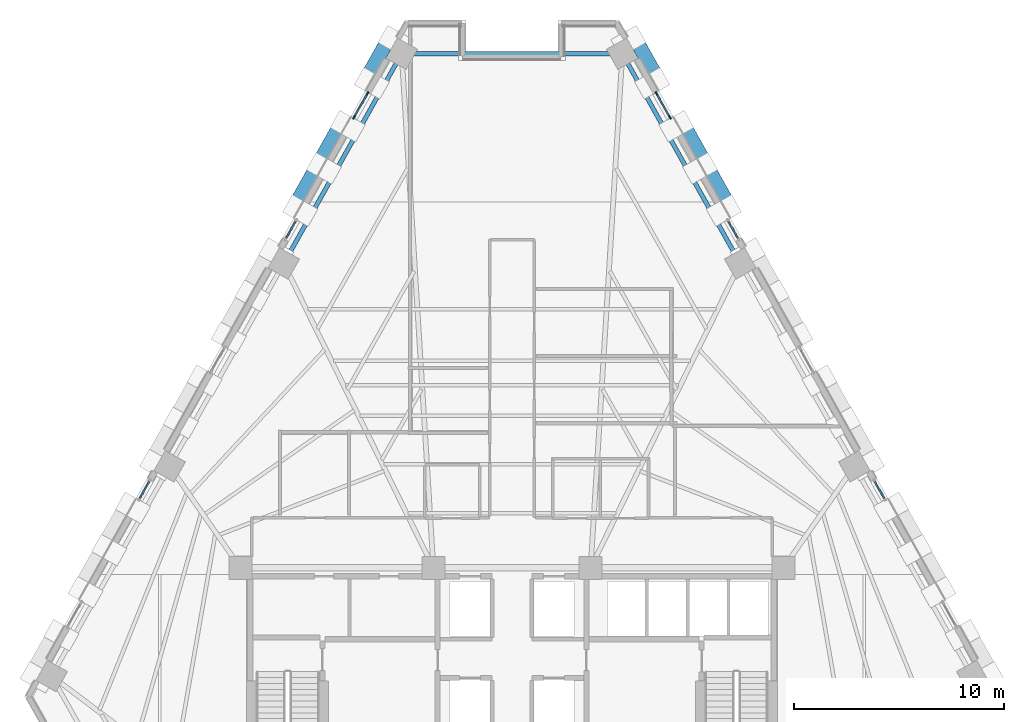
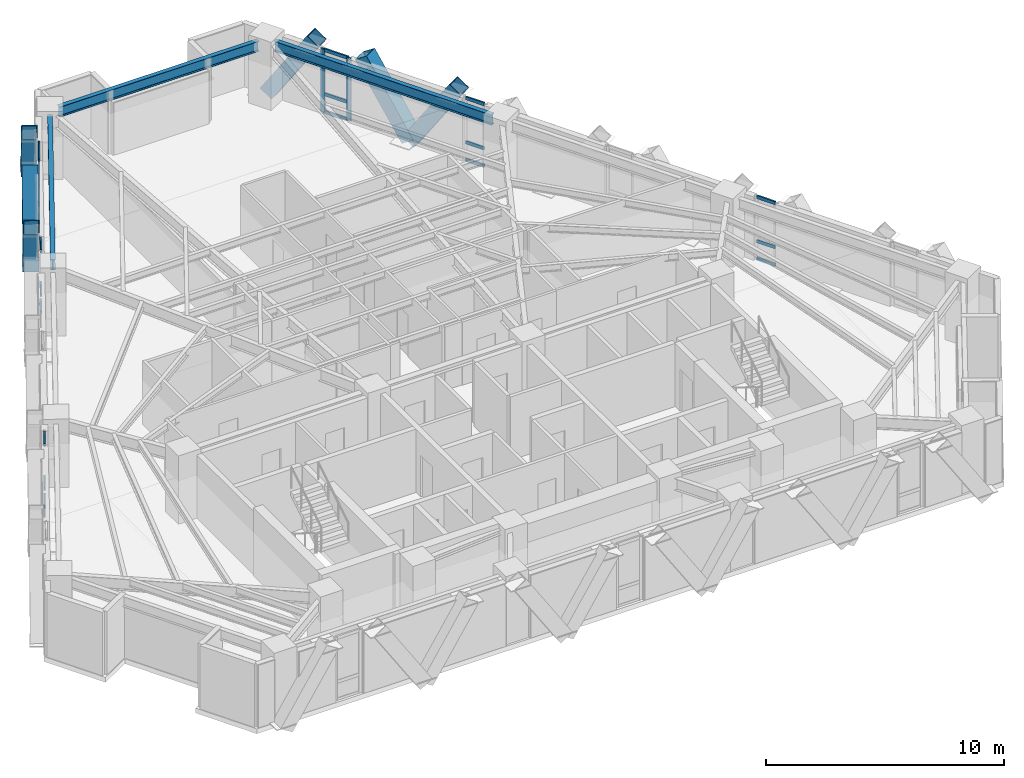
# One storey, part 5 of 13: 28 members, 3 beams, 6 elements without a shape of their own.
"""IFC4 building model written with IfcOpenShell, lengths in metres."""

from ifc_helpers import new_model, si_unit, direction, frame, origin, origin_2d, place, context, subcontext, project, spatial, rectangle, hollow_rectangle, i_section, extrude, material, material_profile, profile_set, type_object, element, aggregate, save


model = new_model("IFC4")

# Units and contexts
model_context = context("Model", 3, precision=1e-05, world=origin(), true_north=direction((0.0, 1.0)))
body_context = subcontext(model_context, "Body", "Model", "MODEL_VIEW")
ifc_project = project(units=[si_unit("LENGTHUNIT", "METRE"), si_unit("AREAUNIT", "SQUARE_METRE"), si_unit("VOLUMEUNIT", "CUBIC_METRE"), si_unit("PLANEANGLEUNIT", "RADIAN"), si_unit("MASSUNIT", "GRAM", prefix="KILO")], contexts=[model_context])

# Site, building, storey
site_placement = place(None, origin())
site = spatial("IfcSite", under=ifc_project, at=site_placement, CompositionType="ELEMENT")
building_placement = place(site_placement, origin())
building = spatial("IfcBuilding", under=site, at=building_placement, Name="Quenlor Broadcast Tower", CompositionType="ELEMENT")
storey_placement = place(building_placement, frame((0.0, 0.0, 109.0)))
storey = spatial("IfcBuildingStorey", under=building, at=storey_placement, Name="L29", CompositionType="ELEMENT", Elevation=109.0)

# Curtain wall, members
ifc_material_1 = material(Name="Architectural Terracotta and Low-E Glazing", Category="masonry")
curtain_wall_type = type_object("IfcCurtainWallType", Name="Unitised Terracotta Curtain Wall System Z2", PredefinedType="NOTDEFINED", material=ifc_material_1)
curtain_wall_1_placement = place(storey_placement, origin())
curtain_wall_1 = element("IfcCurtainWall", 1, at=curtain_wall_1_placement, inside=storey, type_object=curtain_wall_type, Name="L29 Curtain Wall CW2 (L29-NEA-G1)", PredefinedType="NOTDEFINED")
ifc_material_2 = material(Name="Aluminium 6063-T6", Category="aluminium")
ifc_material_profile_1 = material_profile(ifc_material_2, rectangle(XDim=0.074951171875, YDim=0.199951171875, at=origin_2d()))
ifc_profile_set_1 = profile_set([ifc_material_profile_1], Name="Aluminium 6063-T6 MULL75x200")
member_type_1 = type_object("IfcMemberType", Name="CW2 Aluminium Mullion MULL_CW2", PredefinedType="MULLION", material=ifc_profile_set_1)
member_1_placement = place(storey_placement, frame((6.893310546875, 17.81884765625, 0.0), z_axis=(0.0, 0.0, 1.0), x_axis=(0.871583366376, 0.490247320704, 0.0)))
member_1 = element("IfcMember", 2, at=member_1_placement, type_object=member_type_1, Name="CW2 mullion 1", PredefinedType="MULLION", context=body_context, shape_type="SweptSolid", body=[
    extrude(rectangle(XDim=0.074951171875, YDim=0.199951171875, at=origin_2d()), origin(), (0.0, 0.0, 1.0), 3.25),
])
member_2_placement = place(storey_placement, frame((7.525390625, 16.695068359375, 0.0), z_axis=(0.0, 0.0, 1.0), x_axis=(0.871583366376, 0.490247320704, 0.0)))
member_2 = element("IfcMember", 3, at=member_2_placement, type_object=member_type_1, Name="CW2 mullion 2", PredefinedType="MULLION", context=body_context, shape_type="SweptSolid", body=[
    extrude(rectangle(XDim=0.074951171875, YDim=0.199951171875, at=origin_2d()), origin(), (0.0, 0.0, 1.0), 3.25),
])

curtain_wall_2_placement = place(storey_placement, origin())
curtain_wall_2 = element("IfcCurtainWall", 4, at=curtain_wall_2_placement, inside=storey, type_object=curtain_wall_type, Name="L29 Curtain Wall CW2 (L29-NWC-G2)", PredefinedType="NOTDEFINED")
member_3_placement = place(storey_placement, frame((-7.525390625, 16.695068359375, 0.0), z_axis=(0.0, 0.0, 1.0), x_axis=(-0.871583366376, 0.490247320704, 0.0)))
member_3 = element("IfcMember", 5, at=member_3_placement, type_object=member_type_1, Name="CW2 mullion 1", PredefinedType="MULLION", context=body_context, shape_type="SweptSolid", body=[
    extrude(rectangle(XDim=0.074951171875, YDim=0.199951171875, at=origin_2d()), origin(), (0.0, 0.0, 1.0), 3.25),
])
member_4_placement = place(storey_placement, frame((-6.893310546875, 17.81884765625, 0.0), z_axis=(0.0, 0.0, 1.0), x_axis=(-0.871583366376, 0.490247320704, 0.0)))
member_4 = element("IfcMember", 6, at=member_4_placement, type_object=member_type_1, Name="CW2 mullion 2", PredefinedType="MULLION", context=body_context, shape_type="SweptSolid", body=[
    extrude(rectangle(XDim=0.074951171875, YDim=0.199951171875, at=origin_2d()), origin(), (0.0, 0.0, 1.0), 3.25),
])

# Member
ifc_material_3 = material(Name="Aluminium 6063-T6", Category="aluminium")
ifc_material_profile_2 = material_profile(ifc_material_3, rectangle(XDim=0.074951171875, YDim=0.1650390625, at=origin_2d()))
ifc_profile_set_2 = profile_set([ifc_material_profile_2], Name="Aluminium 6063-T6 TRAN75x165")
member_type_2 = type_object("IfcMemberType", Name="CW2 Aluminium Transom TRAN_CW2", PredefinedType="USERDEFINED", material=ifc_profile_set_2)
member_5_placement = place(storey_placement, frame((6.91162109375, 17.7861328125, 0.03759765625), z_axis=(0.490347143438, -0.871527210661, 0.0), x_axis=(0.871527210661, 0.490347143438, 0.0)))
member_5 = element("IfcMember", 7, at=member_5_placement, type_object=member_type_2, Name="CW2 transom 1.1", ObjectType="TRANSOM", PredefinedType="USERDEFINED", context=body_context, shape_type="SweptSolid", body=[
    extrude(rectangle(XDim=0.074951171875, YDim=0.1650390625, at=origin_2d()), origin(), (0.0, 0.0, 1.0), 1.21435546875),
])

member_6_placement = place(storey_placement, frame((6.91162109375, 17.7861328125, 0.949951171875), z_axis=(0.490347143438, -0.871527210661, 0.0), x_axis=(0.871527210661, 0.490347143438, 0.0)))
member_6 = element("IfcMember", 8, at=member_6_placement, type_object=member_type_2, Name="CW2 transom 1.2", ObjectType="TRANSOM", PredefinedType="USERDEFINED", context=body_context, shape_type="SweptSolid", body=[
    extrude(rectangle(XDim=0.074951171875, YDim=0.1650390625, at=origin_2d()), origin(), (0.0, 0.0, 1.0), 1.21435546875),
])

member_7_placement = place(storey_placement, frame((6.91162109375, 17.7861328125, 3.21240234375), z_axis=(0.490347143438, -0.871527210661, 0.0), x_axis=(0.871527210661, 0.490347143438, 0.0)))
member_7 = element("IfcMember", 9, at=member_7_placement, type_object=member_type_2, Name="CW2 transom 1.3", ObjectType="TRANSOM", PredefinedType="USERDEFINED", context=body_context, shape_type="SweptSolid", body=[
    extrude(rectangle(XDim=0.074951171875, YDim=0.1650390625, at=origin_2d()), origin(), (0.0, 0.0, 1.0), 1.21435546875),
])

aggregate(curtain_wall_1, [member_1, member_2, member_5, member_6, member_7])

# Curtain wall, members
curtain_wall_3_placement = place(storey_placement, origin())
curtain_wall_3 = element("IfcCurtainWall", 10, at=curtain_wall_3_placement, inside=storey, type_object=curtain_wall_type, Name="L29 Curtain Wall CW2 (L29-NEA-G2)", PredefinedType="NOTDEFINED")
member_8_placement = place(storey_placement, frame((10.32470703125, 11.718505859375, 0.03759765625), z_axis=(0.490363403455, -0.871518062092, 0.0), x_axis=(0.871518062092, 0.490363403455, 0.0)))
member_8 = element("IfcMember", 11, at=member_8_placement, type_object=member_type_2, Name="CW2 transom 1.1", ObjectType="TRANSOM", PredefinedType="USERDEFINED", context=body_context, shape_type="SweptSolid", body=[
    extrude(rectangle(XDim=0.074951171875, YDim=0.1650390625, at=origin_2d()), origin(), (0.0, 0.0, 1.0), 0.90771484375),
])
member_9_placement = place(storey_placement, frame((10.32470703125, 11.718505859375, 0.949951171875), z_axis=(0.490363403455, -0.871518062092, 0.0), x_axis=(0.871518062092, 0.490363403455, 0.0)))
member_9 = element("IfcMember", 12, at=member_9_placement, type_object=member_type_2, Name="CW2 transom 1.2", ObjectType="TRANSOM", PredefinedType="USERDEFINED", context=body_context, shape_type="SweptSolid", body=[
    extrude(rectangle(XDim=0.074951171875, YDim=0.1650390625, at=origin_2d()), origin(), (0.0, 0.0, 1.0), 0.90771484375),
])
member_10_placement = place(storey_placement, frame((10.32470703125, 11.718505859375, 3.21240234375), z_axis=(0.490363403455, -0.871518062092, 0.0), x_axis=(0.871518062092, 0.490363403455, 0.0)))
member_10 = element("IfcMember", 13, at=member_10_placement, type_object=member_type_2, Name="CW2 transom 1.3", ObjectType="TRANSOM", PredefinedType="USERDEFINED", context=body_context, shape_type="SweptSolid", body=[
    extrude(rectangle(XDim=0.074951171875, YDim=0.1650390625, at=origin_2d()), origin(), (0.0, 0.0, 1.0), 0.90771484375),
])
aggregate(curtain_wall_3, [member_8, member_9, member_10])

curtain_wall_4_placement = place(storey_placement, origin())
curtain_wall_4 = element("IfcCurtainWall", 14, at=curtain_wall_4_placement, inside=storey, type_object=curtain_wall_type, Name="L29 Curtain Wall CW2 (L29-NEC-G1)", PredefinedType="NOTDEFINED")
member_11_placement = place(storey_placement, frame((17.30126953125, -0.684326171875, 0.03759765625), z_axis=(0.490363403455, -0.871518062092, 0.0), x_axis=(0.871518062092, 0.490363403455, 0.0)))
member_11 = element("IfcMember", 15, at=member_11_placement, type_object=member_type_2, Name="CW2 transom 1.1", ObjectType="TRANSOM", PredefinedType="USERDEFINED", context=body_context, shape_type="SweptSolid", body=[
    extrude(rectangle(XDim=0.074951171875, YDim=0.1650390625, at=origin_2d()), origin(), (0.0, 0.0, 1.0), 0.90771484375),
])
member_12_placement = place(storey_placement, frame((17.30126953125, -0.684326171875, 0.949951171875), z_axis=(0.490363403455, -0.871518062092, 0.0), x_axis=(0.871518062092, 0.490363403455, 0.0)))
member_12 = element("IfcMember", 16, at=member_12_placement, type_object=member_type_2, Name="CW2 transom 1.2", ObjectType="TRANSOM", PredefinedType="USERDEFINED", context=body_context, shape_type="SweptSolid", body=[
    extrude(rectangle(XDim=0.074951171875, YDim=0.1650390625, at=origin_2d()), origin(), (0.0, 0.0, 1.0), 0.90771484375),
])
member_13_placement = place(storey_placement, frame((17.30126953125, -0.684326171875, 3.21240234375), z_axis=(0.490363403455, -0.871518062092, 0.0), x_axis=(0.871518062092, 0.490363403455, 0.0)))
member_13 = element("IfcMember", 17, at=member_13_placement, type_object=member_type_2, Name="CW2 transom 1.3", ObjectType="TRANSOM", PredefinedType="USERDEFINED", context=body_context, shape_type="SweptSolid", body=[
    extrude(rectangle(XDim=0.074951171875, YDim=0.1650390625, at=origin_2d()), origin(), (0.0, 0.0, 1.0), 0.90771484375),
])
aggregate(curtain_wall_4, [member_11, member_12, member_13])

curtain_wall_5_placement = place(storey_placement, origin())
curtain_wall_5 = element("IfcCurtainWall", 18, at=curtain_wall_5_placement, inside=storey, type_object=curtain_wall_type, Name="L29 Curtain Wall CW2 (L29-NWA-G2)", PredefinedType="NOTDEFINED")
member_14_placement = place(storey_placement, frame((-17.746337890625, -1.475341796875, 0.03759765625), z_axis=(0.490363403455, 0.871518062092, 0.0), x_axis=(-0.871518062092, 0.490363403455, 0.0)))
member_14 = element("IfcMember", 19, at=member_14_placement, type_object=member_type_2, Name="CW2 transom 1.1", ObjectType="TRANSOM", PredefinedType="USERDEFINED", context=body_context, shape_type="SweptSolid", body=[
    extrude(rectangle(XDim=0.074951171875, YDim=0.1650390625, at=origin_2d()), origin(), (0.0, 0.0, 1.0), 0.90771484375),
])
member_15_placement = place(storey_placement, frame((-17.746337890625, -1.475341796875, 0.949951171875), z_axis=(0.490363403455, 0.871518062092, 0.0), x_axis=(-0.871518062092, 0.490363403455, 0.0)))
member_15 = element("IfcMember", 20, at=member_15_placement, type_object=member_type_2, Name="CW2 transom 1.2", ObjectType="TRANSOM", PredefinedType="USERDEFINED", context=body_context, shape_type="SweptSolid", body=[
    extrude(rectangle(XDim=0.074951171875, YDim=0.1650390625, at=origin_2d()), origin(), (0.0, 0.0, 1.0), 0.90771484375),
])
member_16_placement = place(storey_placement, frame((-17.746337890625, -1.475341796875, 3.21240234375), z_axis=(0.490363403455, 0.871518062092, 0.0), x_axis=(-0.871518062092, 0.490363403455, 0.0)))
member_16 = element("IfcMember", 21, at=member_16_placement, type_object=member_type_2, Name="CW2 transom 1.3", ObjectType="TRANSOM", PredefinedType="USERDEFINED", context=body_context, shape_type="SweptSolid", body=[
    extrude(rectangle(XDim=0.074951171875, YDim=0.1650390625, at=origin_2d()), origin(), (0.0, 0.0, 1.0), 0.90771484375),
])
aggregate(curtain_wall_5, [member_14, member_15, member_16])

curtain_wall_6_placement = place(storey_placement, origin())
curtain_wall_6 = element("IfcCurtainWall", 22, at=curtain_wall_6_placement, inside=storey, type_object=curtain_wall_type, Name="L29 Curtain Wall CW2 (L29-NWC-G1)", PredefinedType="NOTDEFINED")
member_17_placement = place(storey_placement, frame((-10.769775390625, 10.927490234375, 0.03759765625), z_axis=(0.490363403455, 0.871518062092, 0.0), x_axis=(-0.871518062092, 0.490363403455, 0.0)))
member_17 = element("IfcMember", 23, at=member_17_placement, type_object=member_type_2, Name="CW2 transom 1.1", ObjectType="TRANSOM", PredefinedType="USERDEFINED", context=body_context, shape_type="SweptSolid", body=[
    extrude(rectangle(XDim=0.074951171875, YDim=0.1650390625, at=origin_2d()), origin(), (0.0, 0.0, 1.0), 0.90771484375),
])
member_18_placement = place(storey_placement, frame((-10.769775390625, 10.927490234375, 0.949951171875), z_axis=(0.490363403455, 0.871518062092, 0.0), x_axis=(-0.871518062092, 0.490363403455, 0.0)))
member_18 = element("IfcMember", 24, at=member_18_placement, type_object=member_type_2, Name="CW2 transom 1.2", ObjectType="TRANSOM", PredefinedType="USERDEFINED", context=body_context, shape_type="SweptSolid", body=[
    extrude(rectangle(XDim=0.074951171875, YDim=0.1650390625, at=origin_2d()), origin(), (0.0, 0.0, 1.0), 0.90771484375),
])
member_19_placement = place(storey_placement, frame((-10.769775390625, 10.927490234375, 3.21240234375), z_axis=(0.490363403455, 0.871518062092, 0.0), x_axis=(-0.871518062092, 0.490363403455, 0.0)))
member_19 = element("IfcMember", 25, at=member_19_placement, type_object=member_type_2, Name="CW2 transom 1.3", ObjectType="TRANSOM", PredefinedType="USERDEFINED", context=body_context, shape_type="SweptSolid", body=[
    extrude(rectangle(XDim=0.074951171875, YDim=0.1650390625, at=origin_2d()), origin(), (0.0, 0.0, 1.0), 0.90771484375),
])
aggregate(curtain_wall_6, [member_17, member_18, member_19])

# Member
member_20_placement = place(storey_placement, frame((-7.507080078125, 16.727783203125, 0.03759765625), z_axis=(0.490347143438, 0.871527210661, 0.0), x_axis=(-0.871527210661, 0.490347143438, 0.0)))
member_20 = element("IfcMember", 26, at=member_20_placement, type_object=member_type_2, Name="CW2 transom 1.1", ObjectType="TRANSOM", PredefinedType="USERDEFINED", context=body_context, shape_type="SweptSolid", body=[
    extrude(rectangle(XDim=0.074951171875, YDim=0.1650390625, at=origin_2d()), origin(), (0.0, 0.0, 1.0), 1.21435546875),
])

member_21_placement = place(storey_placement, frame((-7.507080078125, 16.727783203125, 0.949951171875), z_axis=(0.490347143438, 0.871527210661, 0.0), x_axis=(-0.871527210661, 0.490347143438, 0.0)))
member_21 = element("IfcMember", 27, at=member_21_placement, type_object=member_type_2, Name="CW2 transom 1.2", ObjectType="TRANSOM", PredefinedType="USERDEFINED", context=body_context, shape_type="SweptSolid", body=[
    extrude(rectangle(XDim=0.074951171875, YDim=0.1650390625, at=origin_2d()), origin(), (0.0, 0.0, 1.0), 1.21435546875),
])

member_22_placement = place(storey_placement, frame((-7.507080078125, 16.727783203125, 3.21240234375), z_axis=(0.490347143438, 0.871527210661, 0.0), x_axis=(-0.871527210661, 0.490347143438, 0.0)))
member_22 = element("IfcMember", 28, at=member_22_placement, type_object=member_type_2, Name="CW2 transom 1.3", ObjectType="TRANSOM", PredefinedType="USERDEFINED", context=body_context, shape_type="SweptSolid", body=[
    extrude(rectangle(XDim=0.074951171875, YDim=0.1650390625, at=origin_2d()), origin(), (0.0, 0.0, 1.0), 1.21435546875),
])

aggregate(curtain_wall_2, [member_3, member_4, member_20, member_21, member_22])

# Members
ifc_material_4 = material(Name="Steel S355", Category="steel")
ifc_material_profile_3 = material_profile(ifc_material_4, hollow_rectangle(XDim=0.679931640625, YDim=0.679931640625, WallThickness=0.030029296875, at=origin_2d()))
ifc_profile_set_3 = profile_set([ifc_material_profile_3], Name="Steel S355 RHS680x680x30")
member_type_3 = type_object("IfcMemberType", Name="Perimeter Diagonal Lattice Brace Z2 Steel S355 RHS680x30", PredefinedType="BRACE", material=ifc_profile_set_3)
for number, where, z_axis, x_axis, name in (
    (29, (5.85400390625, 20.472412109375, -0.1201171875), (0.26858823371, -0.477600411236, 0.836515515636), (0.871623880158, 0.490175286544, 0.0), "L29 Perimeter Diamond Lattice NE-C1S"),
    (30, (9.25341796875, 14.428955078125, -0.1201171875), (-0.268642373731, 0.477592925498, 0.83650240439), (-0.871578380919, -0.490256183964, 0.0), "L29 Perimeter Diamond Lattice NE-C1B"),
    (31, (9.26708984375, 14.40478515625, -0.1201171875), (0.268642373731, -0.477592925498, 0.83650240439), (0.871578380919, 0.490256183964, 0.0), "L29 Perimeter Diamond Lattice NE-C2S"),
    (32, (-9.26708984375, 14.40478515625, -0.1201171875), (-0.268642373731, -0.477592925498, 0.83650240439), (0.871578380919, -0.490256183964, 0.0), "L29 Perimeter Diamond Lattice NW-C4B"),
    (33, (-9.25341796875, 14.428955078125, -0.1201171875), (0.268642373731, 0.477592925498, 0.83650240439), (-0.871578380919, 0.490256183964, 0.0), "L29 Perimeter Diamond Lattice NW-C5S"),
    (34, (-5.85400390625, 20.472412109375, -0.1201171875), (-0.26858823371, -0.477600411236, 0.836515515636), (0.871623880158, -0.490175286544, 0.0), "L29 Perimeter Diamond Lattice NW-C5B"),
):
    element("IfcMember", number, at=place(storey_placement, frame(where, z_axis=z_axis, x_axis=x_axis)), inside=storey, type_object=member_type_3, Name=name, PredefinedType="BRACE", context=body_context, shape_type="SweptSolid", body=[
        extrude(hollow_rectangle(XDim=0.679931640625, YDim=0.679931640625, WallThickness=0.030029296875, at=origin_2d()), origin(), (0.0, 0.0, 1.0), 4.18408203125),
    ])

# Beams
ifc_material_5 = material(Name="Steel S355", Category="steel")
ifc_material_profile_4 = material_profile(ifc_material_5, i_section(OverallWidth=0.208984375, OverallDepth=0.5283203125, WebThickness=0.009521484375, FlangeThickness=0.01318359375, FilletRadius=0.013916015625, at=origin_2d()))
ifc_profile_set_4 = profile_set([ifc_material_profile_4], Name="Steel S355 530UB82.0")
beam_type = type_object("IfcBeamType", Name="Perimeter Spandrel Beam Z2 Steel S355 530UB82.0", PredefinedType="SPANDREL", material=ifc_profile_set_4)
beam_1_placement = place(storey_placement, frame((10.685791015625, 10.076904296875, 2.98583984375), z_axis=(-0.490236213386, 0.871589613916, 0.0), x_axis=(-0.871589613916, -0.490236213386, 0.0)))
element("IfcBeam", 35, at=beam_1_placement, inside=storey, type_object=beam_type, Name="L29 Spandrel Beam NE3-NE4", PredefinedType="SPANDREL", context=body_context, shape_type="SweptSolid", body=[
    extrude(i_section(OverallWidth=0.208984375, OverallDepth=0.5283203125, WebThickness=0.009521484375, FlangeThickness=0.01318359375, FilletRadius=0.013916015625, at=origin_2d()), origin(), (0.0, 0.0, 1.0), 10.65283203125),
])
beam_2_placement = place(storey_placement, frame((4.852294921875, 19.718994140625, 2.98583984375), z_axis=(-1.0, 0.0, 0.0), x_axis=(0.0, -1.0, 0.0)))
element("IfcBeam", 36, at=beam_2_placement, inside=storey, type_object=beam_type, Name="L29 Spandrel Beam NE4-NW1", PredefinedType="SPANDREL", context=body_context, shape_type="SweptSolid", body=[
    extrude(i_section(OverallWidth=0.208984375, OverallDepth=0.5283203125, WebThickness=0.009521484375, FlangeThickness=0.01318359375, FilletRadius=0.013916015625, at=origin_2d()), origin(), (0.0, 0.0, 1.0), 9.70458984375),
])
beam_3_placement = place(storey_placement, frame((-5.46337890625, 19.36181640625, 2.98583984375), z_axis=(-0.490236213386, -0.871589613916, 0.0), x_axis=(0.871589613916, -0.490236213386, 0.0)))
element("IfcBeam", 37, at=beam_3_placement, inside=storey, type_object=beam_type, Name="L29 Spandrel Beam NW1-NW2", PredefinedType="SPANDREL", context=body_context, shape_type="SweptSolid", body=[
    extrude(i_section(OverallWidth=0.208984375, OverallDepth=0.5283203125, WebThickness=0.009521484375, FlangeThickness=0.01318359375, FilletRadius=0.013916015625, at=origin_2d()), origin(), (0.0, 0.0, 1.0), 10.65283203125),
])

save(model, "model.ifc")
